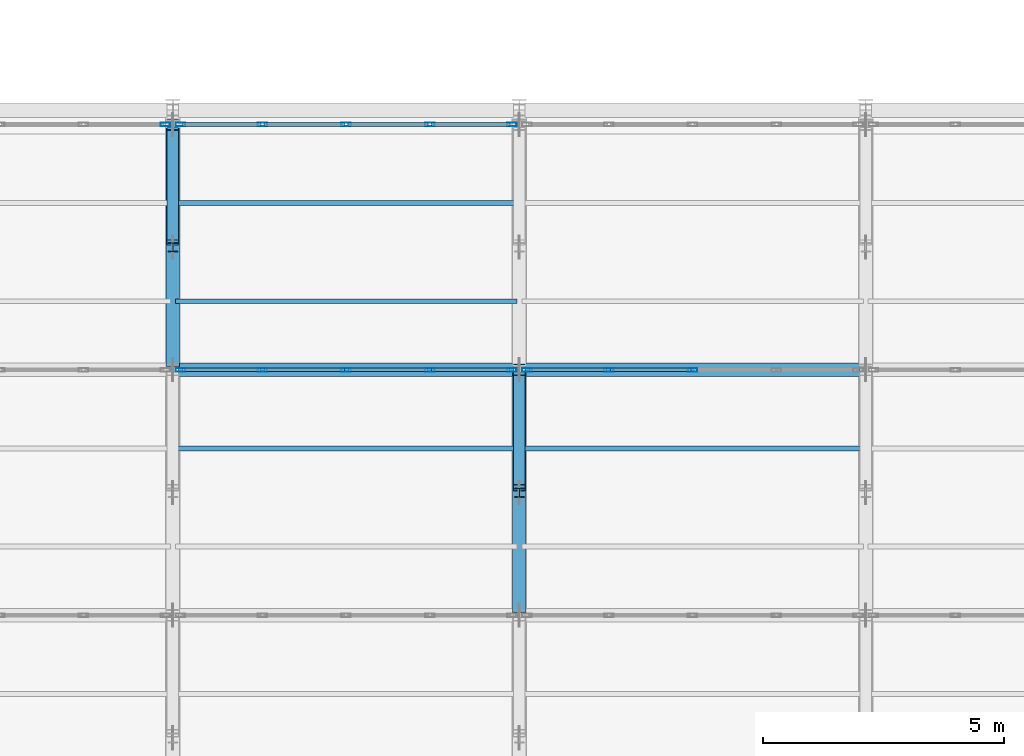
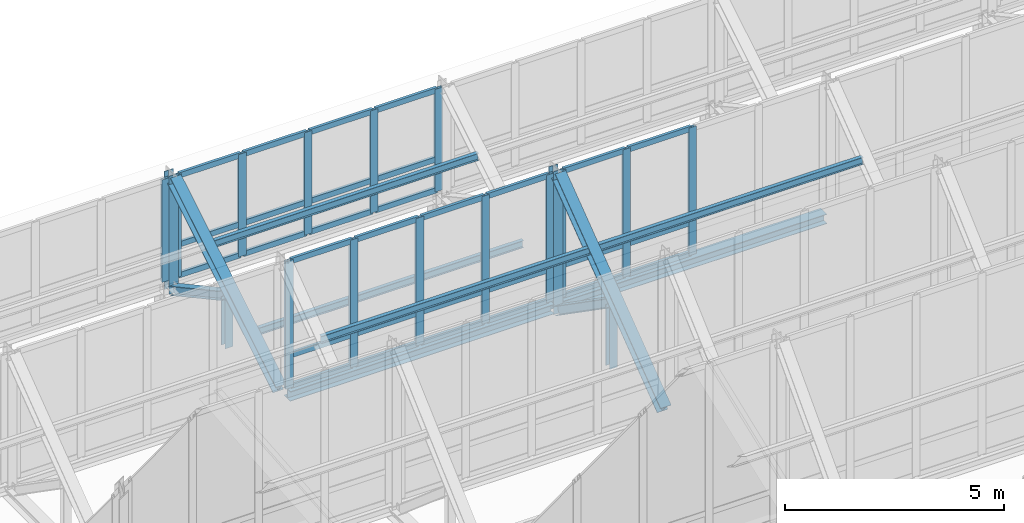
# One storey, part 56 of 157: 56 members, 2 beams, 4 elements without a shape of their own.
"""IFC4 building model written with IfcOpenShell, lengths in metres."""

from ifc_helpers import new_model, si_unit, direction, frame, origin, origin_2d, place, context, subcontext, project, spatial, hollow_rectangle, i_section, extrude, material, material_profile, profile_set, type_object, element, aggregate, save


model = new_model("IFC4")

# Units and contexts
model_context = context("Model", 3, precision=1e-05, world=origin(), true_north=direction((0.0, 1.0)))
body_context = subcontext(model_context, "Body", "Model", "MODEL_VIEW")
ifc_project = project(units=[si_unit("LENGTHUNIT", "METRE"), si_unit("AREAUNIT", "SQUARE_METRE"), si_unit("VOLUMEUNIT", "CUBIC_METRE"), si_unit("PLANEANGLEUNIT", "RADIAN"), si_unit("MASSUNIT", "GRAM", prefix="KILO")], contexts=[model_context])

# Site, building, storey
site_placement = place(None, origin())
site = spatial("IfcSite", under=ifc_project, at=site_placement, CompositionType="ELEMENT")
building_placement = place(site_placement, origin())
building = spatial("IfcBuilding", under=site, at=building_placement, Name="Suanplinth Sawtooth Commons", CompositionType="ELEMENT")
storey_placement = place(building_placement, frame((0.0, 0.0, 9.0)))
storey = spatial("IfcBuildingStorey", under=building, at=storey_placement, Name="L02", CompositionType="ELEMENT", Elevation=9.0)

# Beams
ifc_material_1 = material(Name="Steel S355JR", Category="steel")
ifc_material_profile_1 = material_profile(ifc_material_1, i_section(OverallWidth=0.280029296875, OverallDepth=0.27001953125, WebThickness=0.008056640625, FlangeThickness=0.012939453125, at=origin_2d()), Name="HEA 280")
ifc_profile_set_1 = profile_set([ifc_material_profile_1], Name="Steel S355JR")
beam_type = type_object("IfcBeamType", Name="B-16", PredefinedType="USERDEFINED", material=ifc_profile_set_1)
for number, where, z_axis, x_axis, name in (
    (1, (79.320068359375, 81.0, 2.820068359375), (1.0, 0.0, 0.0), (0.0, 1.0, 0.0), "Sawtooth Valley Girder T7-B3"),
    (2, (86.52001953125, 81.0, 2.820068359375), (1.0, 0.0, 0.0), (0.0, 1.0, 0.0), "Sawtooth Valley Girder T7-B4"),
):
    element("IfcBeam", number, at=place(storey_placement, frame(where, z_axis=z_axis, x_axis=x_axis)), inside=storey, type_object=beam_type, Name=name, ObjectType="GIRDER", PredefinedType="USERDEFINED", context=body_context, shape_type="SweptSolid", body=[
        extrude(i_section(OverallWidth=0.280029296875, OverallDepth=0.27001953125, WebThickness=0.008056640625, FlangeThickness=0.012939453125, at=origin_2d()), origin(), (0.0, 0.0, 1.0), 6.9599609375),
    ])

# Members
ifc_material_profile_2 = material_profile(ifc_material_1, i_section(OverallWidth=0.280029296875, OverallDepth=0.280029296875, WebThickness=0.010498046875, FlangeThickness=0.01806640625, at=origin_2d()), Name="HEB 280")
ifc_profile_set_2 = profile_set([ifc_material_profile_2], Name="Steel S355JR")
member_type_1 = type_object("IfcMemberType", Name="M-02", PredefinedType="CHORD", material=ifc_profile_set_2)
member_1_placement = place(storey_placement, frame((79.199951171875, 81.139892578125, 2.919921875), z_axis=(0.0, 0.855283356021, 0.51816057445), x_axis=(-1.0, 0.0, 0.0)))
element("IfcMember", 3, at=member_1_placement, inside=storey, type_object=member_type_1, Name="Sawtooth Truss T3 Top Chord 7", PredefinedType="CHORD", context=body_context, shape_type="SweptSolid", body=[
    extrude(i_section(OverallWidth=0.280029296875, OverallDepth=0.280029296875, WebThickness=0.010498046875, FlangeThickness=0.01806640625, at=origin_2d()), origin(), (0.0, 0.0, 1.0), 5.6357421875),
])
member_2_placement = place(storey_placement, frame((86.39990234375, 76.0400390625, 2.919921875), z_axis=(0.0, 0.799596436712, 0.600537707723), x_axis=(-1.0, 0.0, 0.0)))
element("IfcMember", 4, at=member_2_placement, inside=storey, type_object=member_type_1, Name="Sawtooth Truss T4 Top Chord 6", PredefinedType="CHORD", context=body_context, shape_type="SweptSolid", body=[
    extrude(i_section(OverallWidth=0.280029296875, OverallDepth=0.280029296875, WebThickness=0.010498046875, FlangeThickness=0.01806640625, at=origin_2d()), origin(), (0.0, 0.0, 1.0), 6.028076171875),
])
ifc_material_profile_3 = material_profile(ifc_material_1, i_section(OverallWidth=0.239990234375, OverallDepth=0.22998046875, WebThickness=0.007568359375, FlangeThickness=0.011962890625, at=origin_2d()), Name="HEA 240")
ifc_profile_set_3 = profile_set([ifc_material_profile_3], Name="Steel S355JR")
member_type_2 = type_object("IfcMemberType", Name="M-03", PredefinedType="BRACE", material=ifc_profile_set_3)
member_3_placement = place(storey_placement, frame((79.199951171875, 83.64990234375, 4.02001953125), z_axis=(0.0, 0.878043199154, -0.478581383277), x_axis=(-1.0, 0.0, 0.0)))
element("IfcMember", 5, at=member_3_placement, inside=storey, type_object=member_type_2, Name="Sawtooth Truss T3 Web Diagonal 7", PredefinedType="BRACE", context=body_context, shape_type="SweptSolid", body=[
    extrude(i_section(OverallWidth=0.239990234375, OverallDepth=0.22998046875, WebThickness=0.007568359375, FlangeThickness=0.011962890625, at=origin_2d()), origin(), (0.0, 0.0, 1.0), 2.65380859375),
])
member_4_placement = place(storey_placement, frame((86.39990234375, 78.550048828125, 4.3701171875), z_axis=(0.0, 0.821010399862, -0.570913236245), x_axis=(-1.0, 0.0, 0.0)))
element("IfcMember", 6, at=member_4_placement, inside=storey, type_object=member_type_2, Name="Sawtooth Truss T4 Web Diagonal 6", PredefinedType="BRACE", context=body_context, shape_type="SweptSolid", body=[
    extrude(i_section(OverallWidth=0.239990234375, OverallDepth=0.22998046875, WebThickness=0.007568359375, FlangeThickness=0.011962890625, at=origin_2d()), origin(), (0.0, 0.0, 1.0), 2.837646484375),
])
ifc_material_profile_4 = material_profile(ifc_material_1, i_section(OverallWidth=0.199951171875, OverallDepth=0.18994140625, WebThickness=0.006591796875, FlangeThickness=0.010009765625, at=origin_2d()), Name="HEA 200")
ifc_profile_set_4 = profile_set([ifc_material_profile_4], Name="Steel S355JR")
member_type_3 = type_object("IfcMemberType", Name="M-04", PredefinedType="BRACE", material=ifc_profile_set_4)
member_5_placement = place(storey_placement, frame((79.199951171875, 83.550048828125, 2.64990234375), z_axis=(0.0, 0.0, 1.0), x_axis=(1.0, 0.0, 0.0)))
element("IfcMember", 7, at=member_5_placement, inside=storey, type_object=member_type_3, Name="Sawtooth Truss T3 Mid Web Post 7", PredefinedType="BRACE", context=body_context, shape_type="SweptSolid", body=[
    extrude(i_section(OverallWidth=0.199951171875, OverallDepth=0.18994140625, WebThickness=0.006591796875, FlangeThickness=0.010009765625, at=origin_2d()), origin(), (0.0, 0.0, 1.0), 1.35009765625),
])
member_6_placement = place(storey_placement, frame((86.39990234375, 78.449951171875, 2.64990234375), z_axis=(0.0, 0.0, 1.0), x_axis=(1.0, 0.0, 0.0)))
element("IfcMember", 8, at=member_6_placement, inside=storey, type_object=member_type_3, Name="Sawtooth Truss T4 Mid Web Post 6", PredefinedType="BRACE", context=body_context, shape_type="SweptSolid", body=[
    extrude(i_section(OverallWidth=0.199951171875, OverallDepth=0.18994140625, WebThickness=0.006591796875, FlangeThickness=0.010009765625, at=origin_2d()), origin(), (0.0, 0.0, 1.0), 1.7001953125),
])
ifc_material_profile_5 = material_profile(ifc_material_1, i_section(OverallWidth=0.239990234375, OverallDepth=0.239990234375, WebThickness=0.010009765625, FlangeThickness=0.01708984375, at=origin_2d()), Name="HEB 240")
ifc_profile_set_5 = profile_set([ifc_material_profile_5], Name="Steel S355JR")
member_type_4 = type_object("IfcMemberType", Name="M-05", PredefinedType="POST", material=ifc_profile_set_5)
member_7_placement = place(storey_placement, frame((79.199951171875, 86.10009765625, 2.64990234375), z_axis=(0.0, 0.0, 1.0), x_axis=(1.0, 0.0, 0.0)))
element("IfcMember", 9, at=member_7_placement, inside=storey, type_object=member_type_4, Name="Sawtooth Truss T3 Clerestory Post 7", PredefinedType="POST", context=body_context, shape_type="SweptSolid", body=[
    extrude(i_section(OverallWidth=0.239990234375, OverallDepth=0.239990234375, WebThickness=0.010009765625, FlangeThickness=0.01708984375, at=origin_2d()), origin(), (0.0, 0.0, 1.0), 3.2900390625),
])
member_8_placement = place(storey_placement, frame((86.39990234375, 81.0, 2.64990234375), z_axis=(0.0, 0.0, 1.0), x_axis=(1.0, 0.0, 0.0)))
element("IfcMember", 10, at=member_8_placement, inside=storey, type_object=member_type_4, Name="Sawtooth Truss T4 Clerestory Post 6", PredefinedType="POST", context=body_context, shape_type="SweptSolid", body=[
    extrude(i_section(OverallWidth=0.239990234375, OverallDepth=0.239990234375, WebThickness=0.010009765625, FlangeThickness=0.01708984375, at=origin_2d()), origin(), (0.0, 0.0, 1.0), 3.989990234375),
])
ifc_material_2 = material(Name="Steel SS400", Category="steel")
ifc_material_profile_6 = material_profile(ifc_material_2, i_section(OverallWidth=0.10009765625, OverallDepth=0.199951171875, WebThickness=0.005615234375, FlangeThickness=0.008544921875, at=origin_2d()), Name="IPE 200")
ifc_profile_set_6 = profile_set([ifc_material_profile_6], Name="Steel SS400")
member_type_5 = type_object("IfcMemberType", Name="M-06", PredefinedType="PURLIN", material=ifc_profile_set_6)
for number, where, z_axis, x_axis, name in (
    (11, (79.25, 79.367919921875, 5.353515625), (1.0, 0.0, 0.0), (0.0, 1.0, 0.0), "Sawtooth Roof Purlin T6-B3-P2"),
    (12, (86.449951171875, 79.367919921875, 5.353515625), (1.0, 0.0, 0.0), (0.0, 1.0, 0.0), "Sawtooth Roof Purlin T6-B4-P2"),
    (13, (79.25, 82.427978515625, 3.691162109375), (1.0, 0.0, 0.0), (0.0, 1.0, 0.0), "Sawtooth Roof Purlin T7-B3-P1"),
    (14, (79.25, 84.468017578125, 4.89111328125), (1.0, 0.0, 0.0), (0.0, 1.0, 0.0), "Sawtooth Roof Purlin T7-B3-P2"),
):
    element("IfcMember", number, at=place(storey_placement, frame(where, z_axis=z_axis, x_axis=x_axis)), inside=storey, type_object=member_type_5, Name=name, PredefinedType="PURLIN", context=body_context, shape_type="SweptSolid", body=[
        extrude(i_section(OverallWidth=0.10009765625, OverallDepth=0.199951171875, WebThickness=0.005615234375, FlangeThickness=0.008544921875, at=origin_2d()), origin(), (0.0, 0.0, 1.0), 7.10009765625),
    ])

# Curtain wall, members
ifc_material_3 = material(Name="Anodized aluminium and low-E glazing", Category="aluminium")
curtain_wall_type = type_object("IfcCurtainWallType", Name="CW-03", PredefinedType="USERDEFINED", material=ifc_material_3)
curtain_wall_1_placement = place(storey_placement, origin())
curtain_wall_1 = element("IfcCurtainWall", 15, at=curtain_wall_1_placement, inside=storey, type_object=curtain_wall_type, Name="Curtain Wall CW-SAW-T6-B3", ObjectType="CURTAIN WALL", PredefinedType="USERDEFINED")
ifc_material_4 = material(Name="Anodized aluminium 6063-T6", Category="aluminium")
ifc_material_profile_7 = material_profile(ifc_material_4, hollow_rectangle(XDim=0.074951171875, YDim=0.199951171875, WallThickness=0.0048828125, at=origin_2d()), Name="ALU-MUL 75x200")
ifc_profile_set_7 = profile_set([ifc_material_profile_7], Name="Anodized aluminium 6063-T6")
member_type_6 = type_object("IfcMemberType", Name="M-14", PredefinedType="MULLION", material=ifc_profile_set_7)
member_9_placement = place(storey_placement, frame((79.357421875, 81.0, 2.97998046875), z_axis=(0.0, 0.0, 1.0), x_axis=(0.0, 1.0, 0.0)))
member_9 = element("IfcMember", 16, at=member_9_placement, type_object=member_type_6, Name="CW-03 mullion 1", PredefinedType="MULLION", context=body_context, shape_type="SweptSolid", body=[
    extrude(hollow_rectangle(XDim=0.074951171875, YDim=0.199951171875, WallThickness=0.0048828125, at=origin_2d()), origin(), (0.0, 0.0, 1.0), 3.56005859375),
])
member_10_placement = place(storey_placement, frame((81.06005859375, 81.0, 2.97998046875), z_axis=(0.0, 0.0, 1.0), x_axis=(0.0, 1.0, 0.0)))
member_10 = element("IfcMember", 17, at=member_10_placement, type_object=member_type_6, Name="CW-03 mullion 2", PredefinedType="MULLION", context=body_context, shape_type="SweptSolid", body=[
    extrude(hollow_rectangle(XDim=0.074951171875, YDim=0.199951171875, WallThickness=0.0048828125, at=origin_2d()), origin(), (0.0, 0.0, 1.0), 3.56005859375),
])
member_11_placement = place(storey_placement, frame((82.800048828125, 81.0, 2.97998046875), z_axis=(0.0, 0.0, 1.0), x_axis=(0.0, 1.0, 0.0)))
member_11 = element("IfcMember", 18, at=member_11_placement, type_object=member_type_6, Name="CW-03 mullion 3", PredefinedType="MULLION", context=body_context, shape_type="SweptSolid", body=[
    extrude(hollow_rectangle(XDim=0.074951171875, YDim=0.199951171875, WallThickness=0.0048828125, at=origin_2d()), origin(), (0.0, 0.0, 1.0), 3.56005859375),
])
member_12_placement = place(storey_placement, frame((84.5400390625, 81.0, 2.97998046875), z_axis=(0.0, 0.0, 1.0), x_axis=(0.0, 1.0, 0.0)))
member_12 = element("IfcMember", 19, at=member_12_placement, type_object=member_type_6, Name="CW-03 mullion 4", PredefinedType="MULLION", context=body_context, shape_type="SweptSolid", body=[
    extrude(hollow_rectangle(XDim=0.074951171875, YDim=0.199951171875, WallThickness=0.0048828125, at=origin_2d()), origin(), (0.0, 0.0, 1.0), 3.56005859375),
])
member_13_placement = place(storey_placement, frame((86.242431640625, 81.0, 2.97998046875), z_axis=(0.0, 0.0, 1.0), x_axis=(0.0, 1.0, 0.0)))
member_13 = element("IfcMember", 20, at=member_13_placement, type_object=member_type_6, Name="CW-03 mullion 5", PredefinedType="MULLION", context=body_context, shape_type="SweptSolid", body=[
    extrude(hollow_rectangle(XDim=0.074951171875, YDim=0.199951171875, WallThickness=0.0048828125, at=origin_2d()), origin(), (0.0, 0.0, 1.0), 3.56005859375),
])

curtain_wall_2_placement = place(storey_placement, origin())
curtain_wall_2 = element("IfcCurtainWall", 21, at=curtain_wall_2_placement, inside=storey, type_object=curtain_wall_type, Name="Curtain Wall CW-SAW-T6-B4", ObjectType="CURTAIN WALL", PredefinedType="USERDEFINED")
member_14_placement = place(storey_placement, frame((86.5576171875, 81.0, 2.97998046875), z_axis=(0.0, 0.0, 1.0), x_axis=(0.0, 1.0, 0.0)))
member_14 = element("IfcMember", 22, at=member_14_placement, type_object=member_type_6, Name="CW-03 mullion 1", PredefinedType="MULLION", context=body_context, shape_type="SweptSolid", body=[
    extrude(hollow_rectangle(XDim=0.074951171875, YDim=0.199951171875, WallThickness=0.0048828125, at=origin_2d()), origin(), (0.0, 0.0, 1.0), 3.56005859375),
])
member_15_placement = place(storey_placement, frame((88.260009765625, 81.0, 2.97998046875), z_axis=(0.0, 0.0, 1.0), x_axis=(0.0, 1.0, 0.0)))
member_15 = element("IfcMember", 23, at=member_15_placement, type_object=member_type_6, Name="CW-03 mullion 2", PredefinedType="MULLION", context=body_context, shape_type="SweptSolid", body=[
    extrude(hollow_rectangle(XDim=0.074951171875, YDim=0.199951171875, WallThickness=0.0048828125, at=origin_2d()), origin(), (0.0, 0.0, 1.0), 3.56005859375),
])
member_16_placement = place(storey_placement, frame((90.0, 81.0, 2.97998046875), z_axis=(0.0, 0.0, 1.0), x_axis=(0.0, 1.0, 0.0)))
member_16 = element("IfcMember", 24, at=member_16_placement, type_object=member_type_6, Name="CW-03 mullion 3", PredefinedType="MULLION", context=body_context, shape_type="SweptSolid", body=[
    extrude(hollow_rectangle(XDim=0.074951171875, YDim=0.199951171875, WallThickness=0.0048828125, at=origin_2d()), origin(), (0.0, 0.0, 1.0), 3.56005859375),
])

# Curtain wall, member
curtain_wall_3_placement = place(storey_placement, origin())
curtain_wall_3 = element("IfcCurtainWall", 25, at=curtain_wall_3_placement, inside=storey, type_object=curtain_wall_type, Name="Curtain Wall CW-SAW-T7-B2", ObjectType="CURTAIN WALL", PredefinedType="USERDEFINED")
member_17_placement = place(storey_placement, frame((79.04248046875, 86.10009765625, 2.97998046875), z_axis=(0.0, 0.0, 1.0), x_axis=(0.0, 1.0, 0.0)))
member_17 = element("IfcMember", 26, at=member_17_placement, type_object=member_type_6, Name="CW-03 mullion 5", PredefinedType="MULLION", context=body_context, shape_type="SweptSolid", body=[
    extrude(hollow_rectangle(XDim=0.074951171875, YDim=0.199951171875, WallThickness=0.0048828125, at=origin_2d()), origin(), (0.0, 0.0, 1.0), 2.860107421875),
])
aggregate(curtain_wall_3, [member_17])

# Curtain wall, members
curtain_wall_4_placement = place(storey_placement, origin())
curtain_wall_4 = element("IfcCurtainWall", 27, at=curtain_wall_4_placement, inside=storey, type_object=curtain_wall_type, Name="Curtain Wall CW-SAW-T7-B3", ObjectType="CURTAIN WALL", PredefinedType="USERDEFINED")
member_18_placement = place(storey_placement, frame((79.357421875, 86.10009765625, 2.97998046875), z_axis=(0.0, 0.0, 1.0), x_axis=(0.0, 1.0, 0.0)))
member_18 = element("IfcMember", 28, at=member_18_placement, type_object=member_type_6, Name="CW-03 mullion 1", PredefinedType="MULLION", context=body_context, shape_type="SweptSolid", body=[
    extrude(hollow_rectangle(XDim=0.074951171875, YDim=0.199951171875, WallThickness=0.0048828125, at=origin_2d()), origin(), (0.0, 0.0, 1.0), 2.860107421875),
])
member_19_placement = place(storey_placement, frame((81.06005859375, 86.10009765625, 2.97998046875), z_axis=(0.0, 0.0, 1.0), x_axis=(0.0, 1.0, 0.0)))
member_19 = element("IfcMember", 29, at=member_19_placement, type_object=member_type_6, Name="CW-03 mullion 2", PredefinedType="MULLION", context=body_context, shape_type="SweptSolid", body=[
    extrude(hollow_rectangle(XDim=0.074951171875, YDim=0.199951171875, WallThickness=0.0048828125, at=origin_2d()), origin(), (0.0, 0.0, 1.0), 2.860107421875),
])
member_20_placement = place(storey_placement, frame((82.800048828125, 86.10009765625, 2.97998046875), z_axis=(0.0, 0.0, 1.0), x_axis=(0.0, 1.0, 0.0)))
member_20 = element("IfcMember", 30, at=member_20_placement, type_object=member_type_6, Name="CW-03 mullion 3", PredefinedType="MULLION", context=body_context, shape_type="SweptSolid", body=[
    extrude(hollow_rectangle(XDim=0.074951171875, YDim=0.199951171875, WallThickness=0.0048828125, at=origin_2d()), origin(), (0.0, 0.0, 1.0), 2.860107421875),
])
member_21_placement = place(storey_placement, frame((84.5400390625, 86.10009765625, 2.97998046875), z_axis=(0.0, 0.0, 1.0), x_axis=(0.0, 1.0, 0.0)))
member_21 = element("IfcMember", 31, at=member_21_placement, type_object=member_type_6, Name="CW-03 mullion 4", PredefinedType="MULLION", context=body_context, shape_type="SweptSolid", body=[
    extrude(hollow_rectangle(XDim=0.074951171875, YDim=0.199951171875, WallThickness=0.0048828125, at=origin_2d()), origin(), (0.0, 0.0, 1.0), 2.860107421875),
])
member_22_placement = place(storey_placement, frame((86.242431640625, 86.10009765625, 2.97998046875), z_axis=(0.0, 0.0, 1.0), x_axis=(0.0, 1.0, 0.0)))
member_22 = element("IfcMember", 32, at=member_22_placement, type_object=member_type_6, Name="CW-03 mullion 5", PredefinedType="MULLION", context=body_context, shape_type="SweptSolid", body=[
    extrude(hollow_rectangle(XDim=0.074951171875, YDim=0.199951171875, WallThickness=0.0048828125, at=origin_2d()), origin(), (0.0, 0.0, 1.0), 2.860107421875),
])

# Member
ifc_material_profile_8 = material_profile(ifc_material_4, hollow_rectangle(XDim=0.074951171875, YDim=0.14990234375, WallThickness=0.00439453125, at=origin_2d()), Name="ALU-TRN 75x150")
ifc_profile_set_8 = profile_set([ifc_material_profile_8], Name="Anodized aluminium 6063-T6")
member_type_7 = type_object("IfcMemberType", Name="M-16", PredefinedType="USERDEFINED", material=ifc_profile_set_8)
member_23_placement = place(storey_placement, frame((79.39501953125, 81.0, 3.017578125), z_axis=(1.0, 0.0, 0.0), x_axis=(0.0, 1.0, 0.0)))
member_23 = element("IfcMember", 33, at=member_23_placement, type_object=member_type_7, Name="CW-03 transom 1.1", ObjectType="TRANSOM", PredefinedType="USERDEFINED", context=body_context, shape_type="SweptSolid", body=[
    extrude(hollow_rectangle(XDim=0.074951171875, YDim=0.14990234375, WallThickness=0.00439453125, at=origin_2d()), origin(), (0.0, 0.0, 1.0), 1.62744140625),
])

member_24_placement = place(storey_placement, frame((79.39501953125, 81.0, 3.8798828125), z_axis=(1.0, 0.0, 0.0), x_axis=(0.0, 1.0, 0.0)))
member_24 = element("IfcMember", 34, at=member_24_placement, type_object=member_type_7, Name="CW-03 transom 1.2", ObjectType="TRANSOM", PredefinedType="USERDEFINED", context=body_context, shape_type="SweptSolid", body=[
    extrude(hollow_rectangle(XDim=0.074951171875, YDim=0.14990234375, WallThickness=0.00439453125, at=origin_2d()), origin(), (0.0, 0.0, 1.0), 1.62744140625),
])

member_25_placement = place(storey_placement, frame((79.39501953125, 81.0, 6.50244140625), z_axis=(1.0, 0.0, 0.0), x_axis=(0.0, 1.0, 0.0)))
member_25 = element("IfcMember", 35, at=member_25_placement, type_object=member_type_7, Name="CW-03 transom 1.3", ObjectType="TRANSOM", PredefinedType="USERDEFINED", context=body_context, shape_type="SweptSolid", body=[
    extrude(hollow_rectangle(XDim=0.074951171875, YDim=0.14990234375, WallThickness=0.00439453125, at=origin_2d()), origin(), (0.0, 0.0, 1.0), 1.62744140625),
])

member_26_placement = place(storey_placement, frame((81.097412109375, 81.0, 3.017578125), z_axis=(1.0, 0.0, 0.0), x_axis=(0.0, 1.0, 0.0)))
member_26 = element("IfcMember", 36, at=member_26_placement, type_object=member_type_7, Name="CW-03 transom 2.1", ObjectType="TRANSOM", PredefinedType="USERDEFINED", context=body_context, shape_type="SweptSolid", body=[
    extrude(hollow_rectangle(XDim=0.074951171875, YDim=0.14990234375, WallThickness=0.00439453125, at=origin_2d()), origin(), (0.0, 0.0, 1.0), 1.6650390625),
])

member_27_placement = place(storey_placement, frame((81.097412109375, 81.0, 3.8798828125), z_axis=(1.0, 0.0, 0.0), x_axis=(0.0, 1.0, 0.0)))
member_27 = element("IfcMember", 37, at=member_27_placement, type_object=member_type_7, Name="CW-03 transom 2.2", ObjectType="TRANSOM", PredefinedType="USERDEFINED", context=body_context, shape_type="SweptSolid", body=[
    extrude(hollow_rectangle(XDim=0.074951171875, YDim=0.14990234375, WallThickness=0.00439453125, at=origin_2d()), origin(), (0.0, 0.0, 1.0), 1.6650390625),
])

member_28_placement = place(storey_placement, frame((81.097412109375, 81.0, 6.50244140625), z_axis=(1.0, 0.0, 0.0), x_axis=(0.0, 1.0, 0.0)))
member_28 = element("IfcMember", 38, at=member_28_placement, type_object=member_type_7, Name="CW-03 transom 2.3", ObjectType="TRANSOM", PredefinedType="USERDEFINED", context=body_context, shape_type="SweptSolid", body=[
    extrude(hollow_rectangle(XDim=0.074951171875, YDim=0.14990234375, WallThickness=0.00439453125, at=origin_2d()), origin(), (0.0, 0.0, 1.0), 1.6650390625),
])

member_29_placement = place(storey_placement, frame((82.83740234375, 81.0, 3.017578125), z_axis=(1.0, 0.0, 0.0), x_axis=(0.0, 1.0, 0.0)))
member_29 = element("IfcMember", 39, at=member_29_placement, type_object=member_type_7, Name="CW-03 transom 3.1", ObjectType="TRANSOM", PredefinedType="USERDEFINED", context=body_context, shape_type="SweptSolid", body=[
    extrude(hollow_rectangle(XDim=0.074951171875, YDim=0.14990234375, WallThickness=0.00439453125, at=origin_2d()), origin(), (0.0, 0.0, 1.0), 1.6650390625),
])

member_30_placement = place(storey_placement, frame((82.83740234375, 81.0, 3.8798828125), z_axis=(1.0, 0.0, 0.0), x_axis=(0.0, 1.0, 0.0)))
member_30 = element("IfcMember", 40, at=member_30_placement, type_object=member_type_7, Name="CW-03 transom 3.2", ObjectType="TRANSOM", PredefinedType="USERDEFINED", context=body_context, shape_type="SweptSolid", body=[
    extrude(hollow_rectangle(XDim=0.074951171875, YDim=0.14990234375, WallThickness=0.00439453125, at=origin_2d()), origin(), (0.0, 0.0, 1.0), 1.6650390625),
])

member_31_placement = place(storey_placement, frame((82.83740234375, 81.0, 6.50244140625), z_axis=(1.0, 0.0, 0.0), x_axis=(0.0, 1.0, 0.0)))
member_31 = element("IfcMember", 41, at=member_31_placement, type_object=member_type_7, Name="CW-03 transom 3.3", ObjectType="TRANSOM", PredefinedType="USERDEFINED", context=body_context, shape_type="SweptSolid", body=[
    extrude(hollow_rectangle(XDim=0.074951171875, YDim=0.14990234375, WallThickness=0.00439453125, at=origin_2d()), origin(), (0.0, 0.0, 1.0), 1.6650390625),
])

member_32_placement = place(storey_placement, frame((84.577392578125, 81.0, 3.017578125), z_axis=(1.0, 0.0, 0.0), x_axis=(0.0, 1.0, 0.0)))
member_32 = element("IfcMember", 42, at=member_32_placement, type_object=member_type_7, Name="CW-03 transom 4.1", ObjectType="TRANSOM", PredefinedType="USERDEFINED", context=body_context, shape_type="SweptSolid", body=[
    extrude(hollow_rectangle(XDim=0.074951171875, YDim=0.14990234375, WallThickness=0.00439453125, at=origin_2d()), origin(), (0.0, 0.0, 1.0), 1.627685546875),
])

member_33_placement = place(storey_placement, frame((84.577392578125, 81.0, 3.8798828125), z_axis=(1.0, 0.0, 0.0), x_axis=(0.0, 1.0, 0.0)))
member_33 = element("IfcMember", 43, at=member_33_placement, type_object=member_type_7, Name="CW-03 transom 4.2", ObjectType="TRANSOM", PredefinedType="USERDEFINED", context=body_context, shape_type="SweptSolid", body=[
    extrude(hollow_rectangle(XDim=0.074951171875, YDim=0.14990234375, WallThickness=0.00439453125, at=origin_2d()), origin(), (0.0, 0.0, 1.0), 1.627685546875),
])

member_34_placement = place(storey_placement, frame((84.577392578125, 81.0, 6.50244140625), z_axis=(1.0, 0.0, 0.0), x_axis=(0.0, 1.0, 0.0)))
member_34 = element("IfcMember", 44, at=member_34_placement, type_object=member_type_7, Name="CW-03 transom 4.3", ObjectType="TRANSOM", PredefinedType="USERDEFINED", context=body_context, shape_type="SweptSolid", body=[
    extrude(hollow_rectangle(XDim=0.074951171875, YDim=0.14990234375, WallThickness=0.00439453125, at=origin_2d()), origin(), (0.0, 0.0, 1.0), 1.627685546875),
])

aggregate(curtain_wall_1, [member_9, member_10, member_11, member_12, member_13, member_23, member_24, member_25, member_26, member_27, member_28, member_29, member_30, member_31, member_32, member_33, member_34])

member_35_placement = place(storey_placement, frame((86.594970703125, 81.0, 3.017578125), z_axis=(1.0, 0.0, 0.0), x_axis=(0.0, 1.0, 0.0)))
member_35 = element("IfcMember", 45, at=member_35_placement, type_object=member_type_7, Name="CW-03 transom 1.1", ObjectType="TRANSOM", PredefinedType="USERDEFINED", context=body_context, shape_type="SweptSolid", body=[
    extrude(hollow_rectangle(XDim=0.074951171875, YDim=0.14990234375, WallThickness=0.00439453125, at=origin_2d()), origin(), (0.0, 0.0, 1.0), 1.62744140625),
])

member_36_placement = place(storey_placement, frame((86.594970703125, 81.0, 3.8798828125), z_axis=(1.0, 0.0, 0.0), x_axis=(0.0, 1.0, 0.0)))
member_36 = element("IfcMember", 46, at=member_36_placement, type_object=member_type_7, Name="CW-03 transom 1.2", ObjectType="TRANSOM", PredefinedType="USERDEFINED", context=body_context, shape_type="SweptSolid", body=[
    extrude(hollow_rectangle(XDim=0.074951171875, YDim=0.14990234375, WallThickness=0.00439453125, at=origin_2d()), origin(), (0.0, 0.0, 1.0), 1.62744140625),
])

member_37_placement = place(storey_placement, frame((86.594970703125, 81.0, 6.50244140625), z_axis=(1.0, 0.0, 0.0), x_axis=(0.0, 1.0, 0.0)))
member_37 = element("IfcMember", 47, at=member_37_placement, type_object=member_type_7, Name="CW-03 transom 1.3", ObjectType="TRANSOM", PredefinedType="USERDEFINED", context=body_context, shape_type="SweptSolid", body=[
    extrude(hollow_rectangle(XDim=0.074951171875, YDim=0.14990234375, WallThickness=0.00439453125, at=origin_2d()), origin(), (0.0, 0.0, 1.0), 1.62744140625),
])

member_38_placement = place(storey_placement, frame((88.297607421875, 81.0, 3.017578125), z_axis=(1.0, 0.0, 0.0), x_axis=(0.0, 1.0, 0.0)))
member_38 = element("IfcMember", 48, at=member_38_placement, type_object=member_type_7, Name="CW-03 transom 2.1", ObjectType="TRANSOM", PredefinedType="USERDEFINED", context=body_context, shape_type="SweptSolid", body=[
    extrude(hollow_rectangle(XDim=0.074951171875, YDim=0.14990234375, WallThickness=0.00439453125, at=origin_2d()), origin(), (0.0, 0.0, 1.0), 1.664794921875),
])

member_39_placement = place(storey_placement, frame((88.297607421875, 81.0, 3.8798828125), z_axis=(1.0, 0.0, 0.0), x_axis=(0.0, 1.0, 0.0)))
member_39 = element("IfcMember", 49, at=member_39_placement, type_object=member_type_7, Name="CW-03 transom 2.2", ObjectType="TRANSOM", PredefinedType="USERDEFINED", context=body_context, shape_type="SweptSolid", body=[
    extrude(hollow_rectangle(XDim=0.074951171875, YDim=0.14990234375, WallThickness=0.00439453125, at=origin_2d()), origin(), (0.0, 0.0, 1.0), 1.664794921875),
])

member_40_placement = place(storey_placement, frame((88.297607421875, 81.0, 6.50244140625), z_axis=(1.0, 0.0, 0.0), x_axis=(0.0, 1.0, 0.0)))
member_40 = element("IfcMember", 50, at=member_40_placement, type_object=member_type_7, Name="CW-03 transom 2.3", ObjectType="TRANSOM", PredefinedType="USERDEFINED", context=body_context, shape_type="SweptSolid", body=[
    extrude(hollow_rectangle(XDim=0.074951171875, YDim=0.14990234375, WallThickness=0.00439453125, at=origin_2d()), origin(), (0.0, 0.0, 1.0), 1.664794921875),
])

aggregate(curtain_wall_2, [member_14, member_15, member_16, member_35, member_36, member_37, member_38, member_39, member_40])

member_41_placement = place(storey_placement, frame((79.39501953125, 86.10009765625, 3.017578125), z_axis=(1.0, 0.0, 0.0), x_axis=(0.0, 1.0, 0.0)))
member_41 = element("IfcMember", 51, at=member_41_placement, type_object=member_type_7, Name="CW-03 transom 1.1", ObjectType="TRANSOM", PredefinedType="USERDEFINED", context=body_context, shape_type="SweptSolid", body=[
    extrude(hollow_rectangle(XDim=0.074951171875, YDim=0.14990234375, WallThickness=0.00439453125, at=origin_2d()), origin(), (0.0, 0.0, 1.0), 1.62744140625),
])

member_42_placement = place(storey_placement, frame((79.39501953125, 86.10009765625, 3.8798828125), z_axis=(1.0, 0.0, 0.0), x_axis=(0.0, 1.0, 0.0)))
member_42 = element("IfcMember", 52, at=member_42_placement, type_object=member_type_7, Name="CW-03 transom 1.2", ObjectType="TRANSOM", PredefinedType="USERDEFINED", context=body_context, shape_type="SweptSolid", body=[
    extrude(hollow_rectangle(XDim=0.074951171875, YDim=0.14990234375, WallThickness=0.00439453125, at=origin_2d()), origin(), (0.0, 0.0, 1.0), 1.62744140625),
])

member_43_placement = place(storey_placement, frame((79.39501953125, 86.10009765625, 5.802490234375), z_axis=(1.0, 0.0, 0.0), x_axis=(0.0, 1.0, 0.0)))
member_43 = element("IfcMember", 53, at=member_43_placement, type_object=member_type_7, Name="CW-03 transom 1.3", ObjectType="TRANSOM", PredefinedType="USERDEFINED", context=body_context, shape_type="SweptSolid", body=[
    extrude(hollow_rectangle(XDim=0.074951171875, YDim=0.14990234375, WallThickness=0.00439453125, at=origin_2d()), origin(), (0.0, 0.0, 1.0), 1.62744140625),
])

member_44_placement = place(storey_placement, frame((81.097412109375, 86.10009765625, 3.017578125), z_axis=(1.0, 0.0, 0.0), x_axis=(0.0, 1.0, 0.0)))
member_44 = element("IfcMember", 54, at=member_44_placement, type_object=member_type_7, Name="CW-03 transom 2.1", ObjectType="TRANSOM", PredefinedType="USERDEFINED", context=body_context, shape_type="SweptSolid", body=[
    extrude(hollow_rectangle(XDim=0.074951171875, YDim=0.14990234375, WallThickness=0.00439453125, at=origin_2d()), origin(), (0.0, 0.0, 1.0), 1.6650390625),
])

member_45_placement = place(storey_placement, frame((81.097412109375, 86.10009765625, 3.8798828125), z_axis=(1.0, 0.0, 0.0), x_axis=(0.0, 1.0, 0.0)))
member_45 = element("IfcMember", 55, at=member_45_placement, type_object=member_type_7, Name="CW-03 transom 2.2", ObjectType="TRANSOM", PredefinedType="USERDEFINED", context=body_context, shape_type="SweptSolid", body=[
    extrude(hollow_rectangle(XDim=0.074951171875, YDim=0.14990234375, WallThickness=0.00439453125, at=origin_2d()), origin(), (0.0, 0.0, 1.0), 1.6650390625),
])

member_46_placement = place(storey_placement, frame((81.097412109375, 86.10009765625, 5.802490234375), z_axis=(1.0, 0.0, 0.0), x_axis=(0.0, 1.0, 0.0)))
member_46 = element("IfcMember", 56, at=member_46_placement, type_object=member_type_7, Name="CW-03 transom 2.3", ObjectType="TRANSOM", PredefinedType="USERDEFINED", context=body_context, shape_type="SweptSolid", body=[
    extrude(hollow_rectangle(XDim=0.074951171875, YDim=0.14990234375, WallThickness=0.00439453125, at=origin_2d()), origin(), (0.0, 0.0, 1.0), 1.6650390625),
])

member_47_placement = place(storey_placement, frame((82.83740234375, 86.10009765625, 3.017578125), z_axis=(1.0, 0.0, 0.0), x_axis=(0.0, 1.0, 0.0)))
member_47 = element("IfcMember", 57, at=member_47_placement, type_object=member_type_7, Name="CW-03 transom 3.1", ObjectType="TRANSOM", PredefinedType="USERDEFINED", context=body_context, shape_type="SweptSolid", body=[
    extrude(hollow_rectangle(XDim=0.074951171875, YDim=0.14990234375, WallThickness=0.00439453125, at=origin_2d()), origin(), (0.0, 0.0, 1.0), 1.6650390625),
])

member_48_placement = place(storey_placement, frame((82.83740234375, 86.10009765625, 3.8798828125), z_axis=(1.0, 0.0, 0.0), x_axis=(0.0, 1.0, 0.0)))
member_48 = element("IfcMember", 58, at=member_48_placement, type_object=member_type_7, Name="CW-03 transom 3.2", ObjectType="TRANSOM", PredefinedType="USERDEFINED", context=body_context, shape_type="SweptSolid", body=[
    extrude(hollow_rectangle(XDim=0.074951171875, YDim=0.14990234375, WallThickness=0.00439453125, at=origin_2d()), origin(), (0.0, 0.0, 1.0), 1.6650390625),
])

member_49_placement = place(storey_placement, frame((82.83740234375, 86.10009765625, 5.802490234375), z_axis=(1.0, 0.0, 0.0), x_axis=(0.0, 1.0, 0.0)))
member_49 = element("IfcMember", 59, at=member_49_placement, type_object=member_type_7, Name="CW-03 transom 3.3", ObjectType="TRANSOM", PredefinedType="USERDEFINED", context=body_context, shape_type="SweptSolid", body=[
    extrude(hollow_rectangle(XDim=0.074951171875, YDim=0.14990234375, WallThickness=0.00439453125, at=origin_2d()), origin(), (0.0, 0.0, 1.0), 1.6650390625),
])

member_50_placement = place(storey_placement, frame((84.577392578125, 86.10009765625, 3.017578125), z_axis=(1.0, 0.0, 0.0), x_axis=(0.0, 1.0, 0.0)))
member_50 = element("IfcMember", 60, at=member_50_placement, type_object=member_type_7, Name="CW-03 transom 4.1", ObjectType="TRANSOM", PredefinedType="USERDEFINED", context=body_context, shape_type="SweptSolid", body=[
    extrude(hollow_rectangle(XDim=0.074951171875, YDim=0.14990234375, WallThickness=0.00439453125, at=origin_2d()), origin(), (0.0, 0.0, 1.0), 1.627685546875),
])

member_51_placement = place(storey_placement, frame((84.577392578125, 86.10009765625, 3.8798828125), z_axis=(1.0, 0.0, 0.0), x_axis=(0.0, 1.0, 0.0)))
member_51 = element("IfcMember", 61, at=member_51_placement, type_object=member_type_7, Name="CW-03 transom 4.2", ObjectType="TRANSOM", PredefinedType="USERDEFINED", context=body_context, shape_type="SweptSolid", body=[
    extrude(hollow_rectangle(XDim=0.074951171875, YDim=0.14990234375, WallThickness=0.00439453125, at=origin_2d()), origin(), (0.0, 0.0, 1.0), 1.627685546875),
])

member_52_placement = place(storey_placement, frame((84.577392578125, 86.10009765625, 5.802490234375), z_axis=(1.0, 0.0, 0.0), x_axis=(0.0, 1.0, 0.0)))
member_52 = element("IfcMember", 62, at=member_52_placement, type_object=member_type_7, Name="CW-03 transom 4.3", ObjectType="TRANSOM", PredefinedType="USERDEFINED", context=body_context, shape_type="SweptSolid", body=[
    extrude(hollow_rectangle(XDim=0.074951171875, YDim=0.14990234375, WallThickness=0.00439453125, at=origin_2d()), origin(), (0.0, 0.0, 1.0), 1.627685546875),
])

aggregate(curtain_wall_4, [member_18, member_19, member_20, member_21, member_22, member_41, member_42, member_43, member_44, member_45, member_46, member_47, member_48, member_49, member_50, member_51, member_52])

save(model, "model.ifc")
